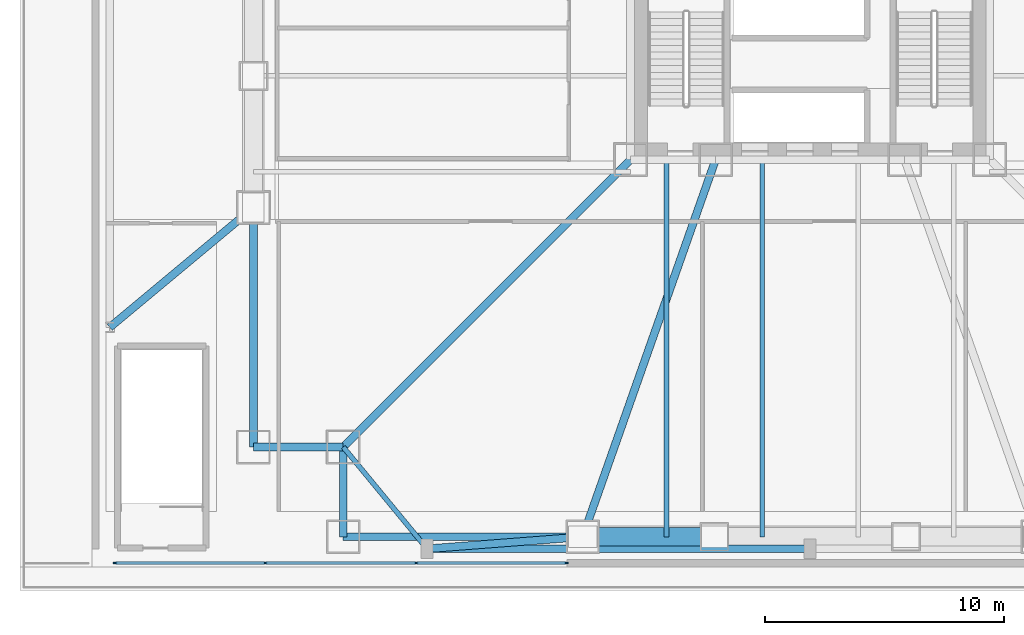
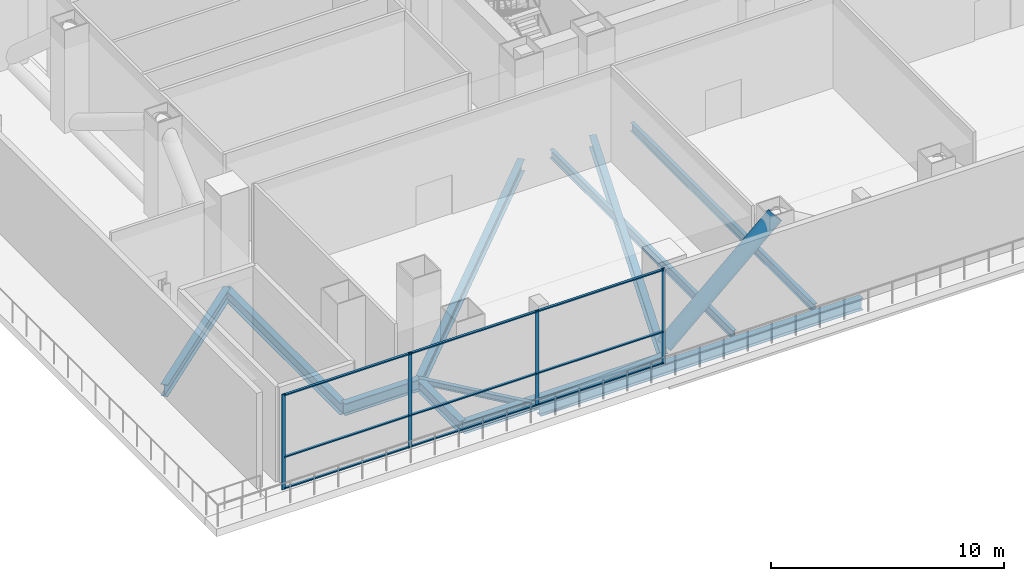
# One storey, part 3 of 21: 14 members, 12 beams, 1 element without a shape of its own.
"""IFC4 building model written with IfcOpenShell, lengths in metres."""

from ifc_helpers import new_model, si_unit, direction, frame, origin, origin_2d, place, context, subcontext, project, spatial, rectangle, hollow_circle, i_section, extrude, material, layer, layer_set, material_profile, profile_set, type_object, element, aggregate, save


model = new_model("IFC4")

# Units and contexts
model_context = context("Model", 3, precision=1e-05, world=origin(), true_north=direction((0.0, 1.0)))
body_context = subcontext(model_context, "Body", "Model", "MODEL_VIEW")
ifc_project = project(units=[si_unit("LENGTHUNIT", "METRE"), si_unit("AREAUNIT", "SQUARE_METRE"), si_unit("VOLUMEUNIT", "CUBIC_METRE"), si_unit("PLANEANGLEUNIT", "RADIAN"), si_unit("MASSUNIT", "GRAM", prefix="KILO")], contexts=[model_context])

# Site, building, storey
site_placement = place(None, origin())
site = spatial("IfcSite", under=ifc_project, at=site_placement, CompositionType="ELEMENT")
building_placement = place(site_placement, origin())
building = spatial("IfcBuilding", under=site, at=building_placement, Name="Trevonay Congress Spire", CompositionType="ELEMENT")
storey_placement = place(building_placement, frame((0.0, 0.0, 21.60009765625)))
storey = spatial("IfcBuildingStorey", under=building, at=storey_placement, Name="L04", CompositionType="ELEMENT", Elevation=21.60009765625)

# Beams
ifc_material_1 = material(Name="Steel ASTM A572 Grade 50", Category="steel")
ifc_material_profile_1 = material_profile(ifc_material_1, i_section(OverallWidth=0.324951171875, OverallDepth=0.615966796875, WebThickness=0.013916015625, FlangeThickness=0.021484375, FilletRadius=0.01806640625, at=origin_2d()), Name="W610x174")
ifc_profile_set_1 = profile_set([ifc_material_profile_1], Name="Steel ASTM A572 Grade 50")
beam_type_1 = type_object("IfcBeamType", Name="BM-GIRD-W610X174", PredefinedType="BEAM", material=ifc_profile_set_1)
beam_1_placement = place(storey_placement, frame((-19.5, -23.25, -0.7080078125), z_axis=(1.0, 0.0, 0.0), x_axis=(0.0, 1.0, 0.0)))
element("IfcBeam", 1, at=beam_1_placement, inside=storey, type_object=beam_type_1, Name="L04 structural beam BM-L04-MS1", PredefinedType="BEAM", context=body_context, shape_type="SweptSolid", body=[
    extrude(i_section(OverallWidth=0.324951171875, OverallDepth=0.615966796875, WebThickness=0.013916015625, FlangeThickness=0.021484375, FilletRadius=0.01806640625, at=origin_2d()), origin(), (0.0, 0.0, 1.0), 10.0),
])
beam_2_placement = place(storey_placement, frame((-19.5, -23.25, -0.7080078125), z_axis=(0.0, 1.0, 0.0), x_axis=(-1.0, 0.0, 0.0)))
element("IfcBeam", 2, at=beam_2_placement, inside=storey, type_object=beam_type_1, Name="L04 structural beam BM-L04-CSW", PredefinedType="BEAM", context=body_context, shape_type="SweptSolid", body=[
    extrude(i_section(OverallWidth=0.324951171875, OverallDepth=0.615966796875, WebThickness=0.013916015625, FlangeThickness=0.021484375, FilletRadius=0.01806640625, at=origin_2d()), origin(), (0.0, 0.0, 1.0), 3.75),
])
beam_3_placement = place(storey_placement, frame((-23.25, -19.5, -0.7080078125), z_axis=(0.0, 1.0, 0.0), x_axis=(-1.0, 0.0, 0.0)))
element("IfcBeam", 3, at=beam_3_placement, inside=storey, type_object=beam_type_1, Name="L04 structural beam BM-L04-MW1", PredefinedType="BEAM", context=body_context, shape_type="SweptSolid", body=[
    extrude(i_section(OverallWidth=0.324951171875, OverallDepth=0.615966796875, WebThickness=0.013916015625, FlangeThickness=0.021484375, FilletRadius=0.01806640625, at=origin_2d()), origin(), (0.0, 0.0, 1.0), 10.0),
])
beam_4_placement = place(storey_placement, frame((-23.25, -19.5, -0.7080078125), z_axis=(1.0, 0.0, 0.0), x_axis=(0.0, 1.0, 0.0)))
element("IfcBeam", 4, at=beam_4_placement, inside=storey, type_object=beam_type_1, Name="L04 structural beam BM-L04-CWS", PredefinedType="BEAM", context=body_context, shape_type="SweptSolid", body=[
    extrude(i_section(OverallWidth=0.324951171875, OverallDepth=0.615966796875, WebThickness=0.013916015625, FlangeThickness=0.021484375, FilletRadius=0.01806640625, at=origin_2d()), origin(), (0.0, 0.0, 1.0), 3.75),
])
beam_5_placement = place(storey_placement, frame((-7.5, -7.5, -0.7080078125), z_axis=(-0.707106781187, -0.707106781187, 0.0), x_axis=(0.707106781187, -0.707106781187, 0.0)))
element("IfcBeam", 5, at=beam_5_placement, inside=storey, type_object=beam_type_1, Name="L04 structural beam BM-L04-RAD-SW", PredefinedType="BEAM", context=body_context, shape_type="SweptSolid", body=[
    extrude(i_section(OverallWidth=0.324951171875, OverallDepth=0.615966796875, WebThickness=0.013916015625, FlangeThickness=0.021484375, FilletRadius=0.01806640625, at=origin_2d()), origin(), (0.0, 0.0, 1.0), 16.970458984375),
])
beam_6_placement = place(storey_placement, frame((-3.949951171875, -7.5, -0.7080078125), z_axis=(-0.332352826786, -0.943155129619, 0.0), x_axis=(0.943155129619, -0.332352826786, 0.0)))
element("IfcBeam", 6, at=beam_6_placement, inside=storey, type_object=beam_type_1, Name="L04 structural beam BM-L04-RAD-S1", PredefinedType="BEAM", context=body_context, shape_type="SweptSolid", body=[
    extrude(i_section(OverallWidth=0.324951171875, OverallDepth=0.615966796875, WebThickness=0.013916015625, FlangeThickness=0.021484375, FilletRadius=0.01806640625, at=origin_2d()), origin(), (0.0, 0.0, 1.0), 16.69921875),
])
beam_7_placement = place(storey_placement, frame((-23.25, -9.5, -0.7080078125), z_axis=(-0.768221279597, -0.640184399664, 0.0), x_axis=(0.640184399664, -0.768221279597, 0.0)))
element("IfcBeam", 7, at=beam_7_placement, inside=storey, type_object=beam_type_1, Name="L04 structural beam BM-L04-POD-WT1", PredefinedType="BEAM", context=body_context, shape_type="SweptSolid", body=[
    extrude(i_section(OverallWidth=0.324951171875, OverallDepth=0.615966796875, WebThickness=0.013916015625, FlangeThickness=0.021484375, FilletRadius=0.01806640625, at=origin_2d()), origin(), (0.0, 0.0, 1.0), 7.810302734375),
])
beam_8_placement = place(storey_placement, frame((-16.0, -23.75, -0.7080078125), z_axis=(1.0, 0.0, 0.0), x_axis=(0.0, 1.0, 0.0)))
element("IfcBeam", 8, at=beam_8_placement, inside=storey, type_object=beam_type_1, Name="L04 structural beam BM-L04-PIL-S1", PredefinedType="BEAM", context=body_context, shape_type="SweptSolid", body=[
    extrude(i_section(OverallWidth=0.324951171875, OverallDepth=0.615966796875, WebThickness=0.013916015625, FlangeThickness=0.021484375, FilletRadius=0.01806640625, at=origin_2d()), origin(), (0.0, 0.0, 1.0), 16.0),
])
beam_9_placement = place(storey_placement, frame((-9.5, -23.25, -0.7080078125), z_axis=(-0.997054485502, -0.076696498885, 0.0), x_axis=(0.076696498885, -0.997054485502, 0.0)))
element("IfcBeam", 9, at=beam_9_placement, inside=storey, type_object=beam_type_1, Name="L04 structural beam BM-L04-PIL-TS1", PredefinedType="BEAM", context=body_context, shape_type="SweptSolid", body=[
    extrude(i_section(OverallWidth=0.324951171875, OverallDepth=0.615966796875, WebThickness=0.013916015625, FlangeThickness=0.021484375, FilletRadius=0.01806640625, at=origin_2d()), origin(), (0.0, 0.0, 1.0), 6.519287109375),
])

# Curtain wall, members
ifc_material_2 = material(Name="Pale Anodised Aluminium EN AW-6063-T6", Category="aluminium")
ifc_layer = layer(ifc_material_2, 0.179931640625, Name="Pale Anodised Aluminium EN AW-6063-T6")
ifc_layer_set = layer_set([ifc_layer], Name="Pale Anodised Aluminium EN AW-6063-T6")
curtain_wall_type = type_object("IfcCurtainWallType", Name="CW-SYS01-PODIUM-PALE-METAL", PredefinedType="NOTDEFINED", material=ifc_layer_set)
curtain_wall_placement = place(storey_placement, origin())
curtain_wall = element("IfcCurtainWall", 10, at=curtain_wall_placement, inside=storey, type_object=curtain_wall_type, Name="L04 S0 podium curtain wall", PredefinedType="NOTDEFINED")
ifc_material_profile_2 = material_profile(ifc_material_2, rectangle(XDim=0.06005859375, YDim=0.159912109375, at=origin_2d()), Name="CW-MULLION-160-ALUMINIUM")
ifc_profile_set_2 = profile_set([ifc_material_profile_2], Name="Pale Anodised Aluminium EN AW-6063-T6")
member_type_1 = type_object("IfcMemberType", Name="CW-MULLION-160-ALUMINIUM", PredefinedType="MULLION", material=ifc_profile_set_2)
member_1_placement = place(storey_placement, frame((-29.02001953125, -24.35009765625, 0.0), z_axis=(0.0, 0.0, 1.0), x_axis=(0.0, 1.0, 0.0)))
member_1 = element("IfcMember", 11, at=member_1_placement, type_object=member_type_1, Name="CW01 mullion 1", PredefinedType="MULLION", context=body_context, shape_type="SweptSolid", body=[
    extrude(rectangle(XDim=0.06005859375, YDim=0.159912109375, at=origin_2d()), origin(), (0.0, 0.0, 1.0), 5.0),
])
member_2_placement = place(storey_placement, frame((-22.75, -24.35009765625, 0.0), z_axis=(0.0, 0.0, 1.0), x_axis=(0.0, 1.0, 0.0)))
member_2 = element("IfcMember", 12, at=member_2_placement, type_object=member_type_1, Name="CW01 mullion 2", PredefinedType="MULLION", context=body_context, shape_type="SweptSolid", body=[
    extrude(rectangle(XDim=0.06005859375, YDim=0.159912109375, at=origin_2d()), origin(), (0.0, 0.0, 1.0), 5.0),
])
member_3_placement = place(storey_placement, frame((-16.449951171875, -24.35009765625, 0.0), z_axis=(0.0, 0.0, 1.0), x_axis=(0.0, 1.0, 0.0)))
member_3 = element("IfcMember", 13, at=member_3_placement, type_object=member_type_1, Name="CW01 mullion 3", PredefinedType="MULLION", context=body_context, shape_type="SweptSolid", body=[
    extrude(rectangle(XDim=0.06005859375, YDim=0.159912109375, at=origin_2d()), origin(), (0.0, 0.0, 1.0), 5.0),
])
member_4_placement = place(storey_placement, frame((-10.179931640625, -24.35009765625, 0.0), z_axis=(0.0, 0.0, 1.0), x_axis=(0.0, 1.0, 0.0)))
member_4 = element("IfcMember", 14, at=member_4_placement, type_object=member_type_1, Name="CW01 mullion 4", PredefinedType="MULLION", context=body_context, shape_type="SweptSolid", body=[
    extrude(rectangle(XDim=0.06005859375, YDim=0.159912109375, at=origin_2d()), origin(), (0.0, 0.0, 1.0), 5.0),
])
ifc_material_profile_3 = material_profile(ifc_material_2, rectangle(XDim=0.1201171875, YDim=0.06005859375, at=origin_2d()), Name="CW-TRANSOM-120-ALUMINIUM")
ifc_profile_set_3 = profile_set([ifc_material_profile_3], Name="Pale Anodised Aluminium EN AW-6063-T6")
member_type_2 = type_object("IfcMemberType", Name="CW-TRANSOM-120-ALUMINIUM", PredefinedType="USERDEFINED", material=ifc_profile_set_3)
member_5_placement = place(storey_placement, frame((-28.989990234375, -24.35009765625, 0.059814453125), z_axis=(1.0, 0.0, 0.0), x_axis=(0.0, 1.0, 0.0)))
member_5 = element("IfcMember", 15, at=member_5_placement, type_object=member_type_2, Name="CW01 transom 1.1", ObjectType="TRANSOM", PredefinedType="USERDEFINED", context=body_context, shape_type="SweptSolid", body=[
    extrude(rectangle(XDim=0.1201171875, YDim=0.06005859375, at=origin_2d()), origin(), (0.0, 0.0, 1.0), 6.2099609375),
])
member_6_placement = place(storey_placement, frame((-28.989990234375, -24.35009765625, 1.699951171875), z_axis=(1.0, 0.0, 0.0), x_axis=(0.0, 1.0, 0.0)))
member_6 = element("IfcMember", 16, at=member_6_placement, type_object=member_type_2, Name="CW01 transom 1.2", ObjectType="TRANSOM", PredefinedType="USERDEFINED", context=body_context, shape_type="SweptSolid", body=[
    extrude(rectangle(XDim=0.1201171875, YDim=0.06005859375, at=origin_2d()), origin(), (0.0, 0.0, 1.0), 6.2099609375),
])
member_7_placement = place(storey_placement, frame((-28.989990234375, -24.35009765625, 4.93994140625), z_axis=(1.0, 0.0, 0.0), x_axis=(0.0, 1.0, 0.0)))
member_7 = element("IfcMember", 17, at=member_7_placement, type_object=member_type_2, Name="CW01 transom 1.3", ObjectType="TRANSOM", PredefinedType="USERDEFINED", context=body_context, shape_type="SweptSolid", body=[
    extrude(rectangle(XDim=0.1201171875, YDim=0.06005859375, at=origin_2d()), origin(), (0.0, 0.0, 1.0), 6.2099609375),
])
member_8_placement = place(storey_placement, frame((-22.719970703125, -24.35009765625, 0.059814453125), z_axis=(1.0, 0.0, 0.0), x_axis=(0.0, 1.0, 0.0)))
member_8 = element("IfcMember", 18, at=member_8_placement, type_object=member_type_2, Name="CW01 transom 2.1", ObjectType="TRANSOM", PredefinedType="USERDEFINED", context=body_context, shape_type="SweptSolid", body=[
    extrude(rectangle(XDim=0.1201171875, YDim=0.06005859375, at=origin_2d()), origin(), (0.0, 0.0, 1.0), 6.239990234375),
])
member_9_placement = place(storey_placement, frame((-22.719970703125, -24.35009765625, 1.699951171875), z_axis=(1.0, 0.0, 0.0), x_axis=(0.0, 1.0, 0.0)))
member_9 = element("IfcMember", 19, at=member_9_placement, type_object=member_type_2, Name="CW01 transom 2.2", ObjectType="TRANSOM", PredefinedType="USERDEFINED", context=body_context, shape_type="SweptSolid", body=[
    extrude(rectangle(XDim=0.1201171875, YDim=0.06005859375, at=origin_2d()), origin(), (0.0, 0.0, 1.0), 6.239990234375),
])
member_10_placement = place(storey_placement, frame((-22.719970703125, -24.35009765625, 4.93994140625), z_axis=(1.0, 0.0, 0.0), x_axis=(0.0, 1.0, 0.0)))
member_10 = element("IfcMember", 20, at=member_10_placement, type_object=member_type_2, Name="CW01 transom 2.3", ObjectType="TRANSOM", PredefinedType="USERDEFINED", context=body_context, shape_type="SweptSolid", body=[
    extrude(rectangle(XDim=0.1201171875, YDim=0.06005859375, at=origin_2d()), origin(), (0.0, 0.0, 1.0), 6.239990234375),
])
member_11_placement = place(storey_placement, frame((-16.419921875, -24.35009765625, 0.059814453125), z_axis=(1.0, 0.0, 0.0), x_axis=(0.0, 1.0, 0.0)))
member_11 = element("IfcMember", 21, at=member_11_placement, type_object=member_type_2, Name="CW01 transom 3.1", ObjectType="TRANSOM", PredefinedType="USERDEFINED", context=body_context, shape_type="SweptSolid", body=[
    extrude(rectangle(XDim=0.1201171875, YDim=0.06005859375, at=origin_2d()), origin(), (0.0, 0.0, 1.0), 6.2099609375),
])
member_12_placement = place(storey_placement, frame((-16.419921875, -24.35009765625, 1.699951171875), z_axis=(1.0, 0.0, 0.0), x_axis=(0.0, 1.0, 0.0)))
member_12 = element("IfcMember", 22, at=member_12_placement, type_object=member_type_2, Name="CW01 transom 3.2", ObjectType="TRANSOM", PredefinedType="USERDEFINED", context=body_context, shape_type="SweptSolid", body=[
    extrude(rectangle(XDim=0.1201171875, YDim=0.06005859375, at=origin_2d()), origin(), (0.0, 0.0, 1.0), 6.2099609375),
])
member_13_placement = place(storey_placement, frame((-16.419921875, -24.35009765625, 4.93994140625), z_axis=(1.0, 0.0, 0.0), x_axis=(0.0, 1.0, 0.0)))
member_13 = element("IfcMember", 23, at=member_13_placement, type_object=member_type_2, Name="CW01 transom 3.3", ObjectType="TRANSOM", PredefinedType="USERDEFINED", context=body_context, shape_type="SweptSolid", body=[
    extrude(rectangle(XDim=0.1201171875, YDim=0.06005859375, at=origin_2d()), origin(), (0.0, 0.0, 1.0), 6.2099609375),
])
aggregate(curtain_wall, [member_1, member_2, member_3, member_4, member_5, member_6, member_7, member_8, member_9, member_10, member_11, member_12, member_13])

# Beams
ifc_material_profile_4 = material_profile(ifc_material_1, i_section(OverallWidth=0.18994140625, OverallDepth=0.45703125, WebThickness=0.009033203125, FlangeThickness=0.014404296875, FilletRadius=0.013916015625, at=origin_2d()), Name="W460x74")
ifc_profile_set_4 = profile_set([ifc_material_profile_4], Name="Steel ASTM A572 Grade 50")
beam_type_2 = type_object("IfcBeamType", Name="JS-COMP-W460X74", PredefinedType="JOIST", material=ifc_profile_set_4)
for number, where, z_axis, x_axis, name in (
    (24, (-6.0, -23.25, -0.628662109375), (0.0, 1.0, 0.0), (-1.0, 0.0, 0.0), "L04 structural beam JS-L04-SH1"),
    (25, (-2.0, -23.25, -0.628662109375), (0.0, 1.0, 0.0), (-1.0, 0.0, 0.0), "L04 structural beam JS-L04-SH2"),
):
    element("IfcBeam", number, at=place(storey_placement, frame(where, z_axis=z_axis, x_axis=x_axis)), inside=storey, type_object=beam_type_2, Name=name, PredefinedType="JOIST", context=body_context, shape_type="SweptSolid", body=[
        extrude(i_section(OverallWidth=0.18994140625, OverallDepth=0.45703125, WebThickness=0.009033203125, FlangeThickness=0.014404296875, FilletRadius=0.013916015625, at=origin_2d()), origin(), (0.0, 0.0, 1.0), 15.75),
    ])

# Member
ifc_material_profile_5 = material_profile(ifc_material_1, hollow_circle(Radius=0.381103515625, WallThickness=0.0400390625, at=origin_2d()), Name="CHS 762x40")
ifc_profile_set_5 = profile_set([ifc_material_profile_5], Name="Steel ASTM A572 Grade 50")
member_type_3 = type_object("IfcMemberType", Name="MBR-OUTRIG-CHS762", PredefinedType="BRACE", material=ifc_profile_set_5)
member_14_placement = place(storey_placement, frame((-9.5, -23.25, 0.0498046875), z_axis=(0.746649966155, 0.0, 0.665217128493), x_axis=(0.0, 1.0, 0.0)))
element("IfcMember", 26, at=member_14_placement, inside=storey, type_object=member_type_3, Name="Podium 24m hall transfer truss S diagonal 1", PredefinedType="BRACE", context=body_context, shape_type="SweptSolid", body=[
    extrude(hollow_circle(Radius=0.381103515625, WallThickness=0.0400390625, at=origin_2d()), origin(), (0.0, 0.0, 1.0), 7.3662109375),
])

# Beam
ifc_material_profile_6 = material_profile(ifc_material_1, i_section(OverallWidth=0.2041015625, OverallDepth=0.305908203125, WebThickness=0.008544921875, FlangeThickness=0.0146484375, FilletRadius=0.010986328125, at=origin_2d()), Name="W310x67")
ifc_profile_set_6 = profile_set([ifc_material_profile_6], Name="Steel ASTM A572 Grade 50")
beam_type_3 = type_object("IfcBeamType", Name="SPB-W310X67", PredefinedType="SPANDREL", material=ifc_profile_set_6)
beam_10_placement = place(storey_placement, frame((-16.0, -23.75, -0.552978515625), z_axis=(-0.635707252861, 0.771930235617, 0.0), x_axis=(-0.771930235617, -0.635707252861, 0.0)))
element("IfcBeam", 27, at=beam_10_placement, inside=storey, type_object=beam_type_3, Name="L04 structural beam SPB-L04-SW", PredefinedType="SPANDREL", context=body_context, shape_type="SweptSolid", body=[
    extrude(i_section(OverallWidth=0.2041015625, OverallDepth=0.305908203125, WebThickness=0.008544921875, FlangeThickness=0.0146484375, FilletRadius=0.010986328125, at=origin_2d()), origin(), (0.0, 0.0, 1.0), 5.505615234375),
])

save(model, "model.ifc")
